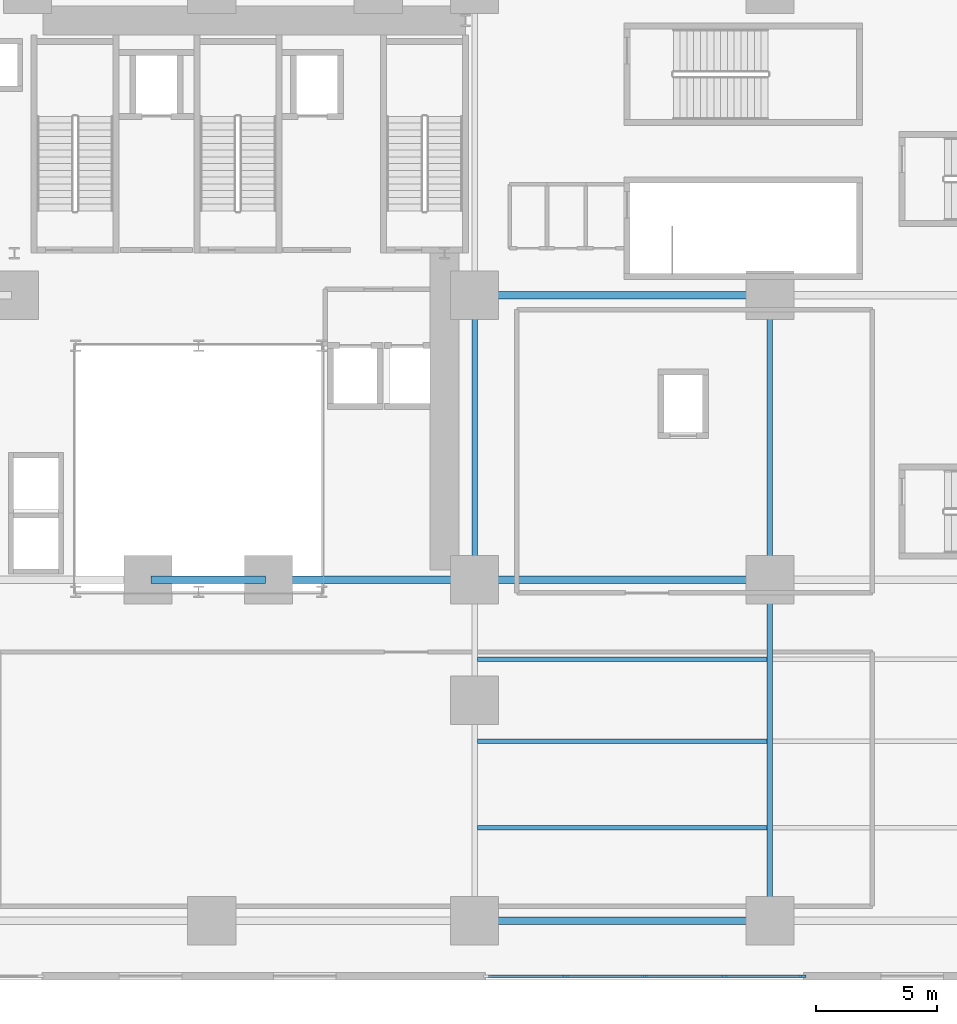
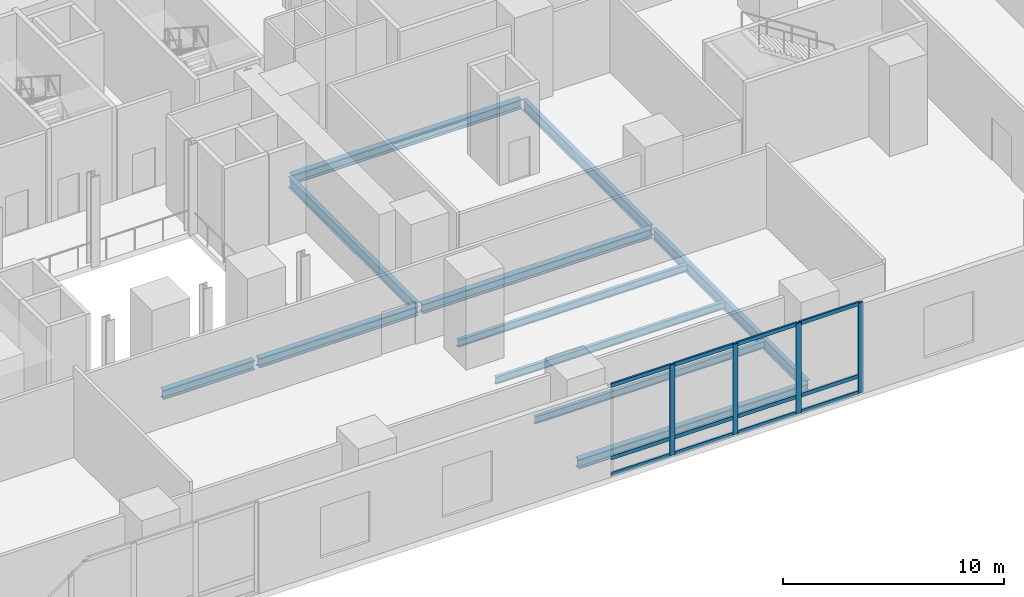
# One storey, part 4 of 15: 16 members, 11 beams, 1 element without a shape of its own.
"""IFC4 building model written with IfcOpenShell, lengths in metres."""

from ifc_helpers import new_model, si_unit, direction, frame, origin, origin_2d, place, context, subcontext, project, spatial, rectangle, i_section, extrude, source, transform, mapped, material, material_profile, profile_set, type_object, element, aggregate, save


model = new_model("IFC4")

# Units and contexts
model_context = context("Model", 3, precision=1e-05, world=origin(), true_north=direction((0.0, 1.0)))
body_context = subcontext(model_context, "Body", "Model", "MODEL_VIEW")
ifc_project = project(units=[si_unit("LENGTHUNIT", "METRE"), si_unit("AREAUNIT", "SQUARE_METRE"), si_unit("VOLUMEUNIT", "CUBIC_METRE"), si_unit("PLANEANGLEUNIT", "RADIAN"), si_unit("MASSUNIT", "GRAM", prefix="KILO")], contexts=[model_context])

# Site, building, storey
site_placement = place(None, origin())
site = spatial("IfcSite", under=ifc_project, at=site_placement, CompositionType="ELEMENT")
building_placement = place(site_placement, origin())
building = spatial("IfcBuilding", under=site, at=building_placement, Name="Vardaveli Station Tower", CompositionType="ELEMENT")
storey_placement = place(building_placement, frame((0.0, 0.0, 6.0)))
storey = spatial("IfcBuildingStorey", under=building, at=storey_placement, Name="L02", CompositionType="ELEMENT", Elevation=6.0)

# Beams
ifc_material_1 = material(Name="Structural steel S355J2", Category="steel")
ifc_material_profile_1 = material_profile(ifc_material_1, i_section(OverallWidth=0.305908203125, OverallDepth=0.52392578125, WebThickness=0.02099609375, FlangeThickness=0.0400390625, FilletRadius=0.027099609375, at=origin_2d()), Name="HEM 500")
ifc_profile_set_1 = profile_set([ifc_material_profile_1], Name="Structural steel S355J2")
beam_type_1 = type_object("IfcBeamType", Name="BM-HEM500", PredefinedType="BEAM", material=ifc_profile_set_1)
shared_shape_1 = source(origin(), body_context, "Body", "SweptSolid", [
    extrude(i_section(OverallWidth=0.305908203125, OverallDepth=0.52392578125, WebThickness=0.02099609375, FlangeThickness=0.0400390625, FilletRadius=0.027099609375, at=origin_2d()), origin(), (0.0, 0.0, 1.0), 12.009765625),
])
for number, where, z_axis, x_axis, name in (
    (1, (47.8701171875, 2.949951171875, -0.58203125), (1.0, 0.0, 0.0), (0.0, 1.0, 0.0), "PBM-L02-EW0-4"),
    (2, (47.8701171875, 17.10009765625, -0.58203125), (1.0, 0.0, 0.0), (0.0, 1.0, 0.0), "PBM-L02-EW1-5"),
    (3, (47.8701171875, 28.89990234375, -0.58203125), (1.0, 0.0, 0.0), (0.0, 1.0, 0.0), "PBM-L02-EWE2-0"),
):
    element("IfcBeam", number, at=place(storey_placement, frame(where, z_axis=z_axis, x_axis=x_axis)), inside=storey, type_object=beam_type_1, Name=name, PredefinedType="BEAM", context=body_context, shape_type="MappedRepresentation", body=[
        mapped(shared_shape_1, transform((0.0, 0.0, 0.0), scale=1.0)),
    ])
shared_shape_2 = source(origin(), body_context, "Body", "SweptSolid", [
    extrude(i_section(OverallWidth=0.305908203125, OverallDepth=0.52392578125, WebThickness=0.02099609375, FlangeThickness=0.0400390625, FilletRadius=0.027099609375, at=origin_2d()), origin(), (0.0, 0.0, 1.0), 4.760009765625),
])
beam_1_placement = place(storey_placement, frame((34.320068359375, 17.10009765625, -0.58203125), z_axis=(1.0, 0.0, 0.0), x_axis=(0.0, 1.0, 0.0)))
element("IfcBeam", 4, at=beam_1_placement, inside=storey, type_object=beam_type_1, Name="PBM-L02-EW1-3", PredefinedType="BEAM", context=body_context, shape_type="MappedRepresentation", body=[
    mapped(shared_shape_2, transform((0.0, 0.0, 0.0), scale=1.0)),
])
shared_shape_3 = source(origin(), body_context, "Body", "SweptSolid", [
    extrude(i_section(OverallWidth=0.305908203125, OverallDepth=0.52392578125, WebThickness=0.02099609375, FlangeThickness=0.0400390625, FilletRadius=0.027099609375, at=origin_2d()), origin(), (0.0, 0.0, 1.0), 8.309814453125),
])
beam_2_placement = place(storey_placement, frame((39.320068359375, 17.10009765625, -0.58203125), z_axis=(1.0, 0.0, 0.0), x_axis=(0.0, 1.0, 0.0)))
element("IfcBeam", 5, at=beam_2_placement, inside=storey, type_object=beam_type_1, Name="PBM-L02-EW1-4", PredefinedType="BEAM", context=body_context, shape_type="MappedRepresentation", body=[
    mapped(shared_shape_3, transform((0.0, 0.0, 0.0), scale=1.0)),
])
ifc_material_profile_2 = material_profile(ifc_material_1, i_section(OverallWidth=0.219970703125, OverallDepth=0.60009765625, WebThickness=0.011962890625, FlangeThickness=0.01904296875, FilletRadius=0.02392578125, at=origin_2d()), Name="IPE 600")
ifc_profile_set_2 = profile_set([ifc_material_profile_2], Name="Structural steel S355J2")
beam_type_2 = type_object("IfcBeamType", Name="BM-IPE600", PredefinedType="BEAM", material=ifc_profile_set_2)
shared_shape_4 = source(origin(), body_context, "Body", "SweptSolid", [
    extrude(i_section(OverallWidth=0.219970703125, OverallDepth=0.60009765625, WebThickness=0.011962890625, FlangeThickness=0.01904296875, FilletRadius=0.02392578125, at=origin_2d()), origin(), (0.0, 0.0, 1.0), 13.909912109375),
])
beam_3_placement = place(storey_placement, frame((60.0, 3.070068359375, -0.6201171875), z_axis=(0.0, 1.0, 0.0), x_axis=(-1.0, 0.0, 0.0)))
element("IfcBeam", 6, at=beam_3_placement, inside=storey, type_object=beam_type_2, Name="PBM-L02-NS3-0", PredefinedType="BEAM", context=body_context, shape_type="MappedRepresentation", body=[
    mapped(shared_shape_4, transform((0.0, 0.0, 0.0), scale=1.0)),
])
shared_shape_5 = source(origin(), body_context, "Body", "SweptSolid", [
    extrude(i_section(OverallWidth=0.219970703125, OverallDepth=0.60009765625, WebThickness=0.011962890625, FlangeThickness=0.01904296875, FilletRadius=0.02392578125, at=origin_2d()), origin(), (0.0, 0.0, 1.0), 11.56005859375),
])
for number, where, z_axis, x_axis, name in (
    (7, (47.75, 17.219970703125, -0.6201171875), (0.0, 1.0, 0.0), (-1.0, 0.0, 0.0), "PBM-L02-NS2-1"),
    (8, (60.0, 17.219970703125, -0.6201171875), (0.0, 1.0, 0.0), (-1.0, 0.0, 0.0), "PBM-L02-NS3-1"),
):
    element("IfcBeam", number, at=place(storey_placement, frame(where, z_axis=z_axis, x_axis=x_axis)), inside=storey, type_object=beam_type_2, Name=name, PredefinedType="BEAM", context=body_context, shape_type="MappedRepresentation", body=[
        mapped(shared_shape_5, transform((0.0, 0.0, 0.0), scale=1.0)),
    ])
ifc_material_profile_3 = material_profile(ifc_material_1, i_section(OverallWidth=0.179931640625, OverallDepth=0.39990234375, WebThickness=0.008544921875, FlangeThickness=0.013427734375, FilletRadius=0.02099609375, at=origin_2d()), Name="IPE 400")
ifc_profile_set_3 = profile_set([ifc_material_profile_3], Name="Structural steel S355J2")
beam_type_3 = type_object("IfcBeamType", Name="BM-IPE400", PredefinedType="JOIST", material=ifc_profile_set_3)
shared_shape_6 = source(origin(), body_context, "Body", "SweptSolid", [
    extrude(i_section(OverallWidth=0.179931640625, OverallDepth=0.39990234375, WebThickness=0.008544921875, FlangeThickness=0.013427734375, FilletRadius=0.02099609375, at=origin_2d()), origin(), (0.0, 0.0, 1.0), 12.02587890625),
])
for number, where, z_axis, x_axis, name in (
    (9, (47.862060546875, 6.800048828125, -0.52001953125), (1.0, 0.0, 0.0), (0.0, 1.0, 0.0), "PJ-L02-1-2"),
    (10, (47.862060546875, 10.39990234375, -0.52001953125), (1.0, 0.0, 0.0), (0.0, 1.0, 0.0), "PJ-L02-2-2"),
    (11, (47.862060546875, 13.800048828125, -0.52001953125), (1.0, 0.0, 0.0), (0.0, 1.0, 0.0), "PJ-L02-3-2"),
):
    element("IfcBeam", number, at=place(storey_placement, frame(where, z_axis=z_axis, x_axis=x_axis)), inside=storey, type_object=beam_type_3, Name=name, PredefinedType="JOIST", context=body_context, shape_type="MappedRepresentation", body=[
        mapped(shared_shape_6, transform((0.0, 0.0, 0.0), scale=1.0)),
    ])

# Curtain wall, members
ifc_material_2 = material(Name="Travertine stone and solar-control glass", Category="masonry")
curtain_wall_type = type_object("IfcCurtainWallType", Name="CW-SYS-1", PredefinedType="NOTDEFINED", material=ifc_material_2)
curtain_wall_placement = place(storey_placement, origin())
curtain_wall = element("IfcCurtainWall", 12, at=curtain_wall_placement, inside=storey, type_object=curtain_wall_type, Name="CW-L02-S4", PredefinedType="NOTDEFINED")
ifc_material_3 = material(Name="Anodised aluminium alloy 6063-T6", Category="aluminium")
ifc_material_profile_4 = material_profile(ifc_material_3, rectangle(XDim=0.094970703125, YDim=0.2099609375, at=origin_2d()), Name="CWT 95x210")
ifc_profile_set_4 = profile_set([ifc_material_profile_4], Name="Anodised aluminium alloy 6063-T6")
member_type_1 = type_object("IfcMemberType", Name="CW-SYS-1-TRAN", PredefinedType="NOTDEFINED", material=ifc_profile_set_4)
shared_shape_7 = source(origin(), body_context, "Body", "SweptSolid", [
    extrude(rectangle(XDim=0.094970703125, YDim=0.2099609375, at=origin_2d()), origin(), (0.0, 0.0, 1.0), 3.157470703125),
])
member_1_placement = place(storey_placement, frame((48.294921875, 0.64990234375, 0.047607421875), z_axis=(1.0, 0.0, 0.0), x_axis=(0.0, 1.0, 0.0)))
member_1 = element("IfcMember", 13, at=member_1_placement, type_object=member_type_1, Name="CW-1 transom 1.1", ObjectType="TRANSOM", PredefinedType="USERDEFINED", context=body_context, shape_type="MappedRepresentation", body=[
    mapped(shared_shape_7, transform((0.0, 0.0, 0.0), scale=1.0)),
])
member_2_placement = place(storey_placement, frame((48.294921875, 0.64990234375, 0.949951171875), z_axis=(1.0, 0.0, 0.0), x_axis=(0.0, 1.0, 0.0)))
member_2 = element("IfcMember", 14, at=member_2_placement, type_object=member_type_1, Name="CW-1 transom 1.2", ObjectType="TRANSOM", PredefinedType="USERDEFINED", context=body_context, shape_type="MappedRepresentation", body=[
    mapped(shared_shape_7, transform((0.0, 0.0, 0.0), scale=1.0)),
])
member_3_placement = place(storey_placement, frame((48.294921875, 0.64990234375, 4.952392578125), z_axis=(1.0, 0.0, 0.0), x_axis=(0.0, 1.0, 0.0)))
member_3 = element("IfcMember", 15, at=member_3_placement, type_object=member_type_1, Name="CW-1 transom 1.3", ObjectType="TRANSOM", PredefinedType="USERDEFINED", context=body_context, shape_type="MappedRepresentation", body=[
    mapped(shared_shape_7, transform((0.0, 0.0, 0.0), scale=1.0)),
])
member_4_placement = place(storey_placement, frame((58.1474609375, 0.64990234375, 0.047607421875), z_axis=(1.0, 0.0, 0.0), x_axis=(0.0, 1.0, 0.0)))
member_4 = element("IfcMember", 16, at=member_4_placement, type_object=member_type_1, Name="CW-1 transom 4.1", ObjectType="TRANSOM", PredefinedType="USERDEFINED", context=body_context, shape_type="MappedRepresentation", body=[
    mapped(shared_shape_7, transform((0.0, 0.0, 0.0), scale=1.0)),
])
member_5_placement = place(storey_placement, frame((58.1474609375, 0.64990234375, 0.949951171875), z_axis=(1.0, 0.0, 0.0), x_axis=(0.0, 1.0, 0.0)))
member_5 = element("IfcMember", 17, at=member_5_placement, type_object=member_type_1, Name="CW-1 transom 4.2", ObjectType="TRANSOM", PredefinedType="USERDEFINED", context=body_context, shape_type="MappedRepresentation", body=[
    mapped(shared_shape_7, transform((0.0, 0.0, 0.0), scale=1.0)),
])
member_6_placement = place(storey_placement, frame((58.1474609375, 0.64990234375, 4.952392578125), z_axis=(1.0, 0.0, 0.0), x_axis=(0.0, 1.0, 0.0)))
member_6 = element("IfcMember", 18, at=member_6_placement, type_object=member_type_1, Name="CW-1 transom 4.3", ObjectType="TRANSOM", PredefinedType="USERDEFINED", context=body_context, shape_type="MappedRepresentation", body=[
    mapped(shared_shape_7, transform((0.0, 0.0, 0.0), scale=1.0)),
])
shared_shape_8 = source(origin(), body_context, "Body", "SweptSolid", [
    extrude(rectangle(XDim=0.094970703125, YDim=0.2099609375, at=origin_2d()), origin(), (0.0, 0.0, 1.0), 3.204833984375),
])
member_7_placement = place(storey_placement, frame((51.547607421875, 0.64990234375, 0.047607421875), z_axis=(1.0, 0.0, 0.0), x_axis=(0.0, 1.0, 0.0)))
member_7 = element("IfcMember", 19, at=member_7_placement, type_object=member_type_1, Name="CW-1 transom 2.1", ObjectType="TRANSOM", PredefinedType="USERDEFINED", context=body_context, shape_type="MappedRepresentation", body=[
    mapped(shared_shape_8, transform((0.0, 0.0, 0.0), scale=1.0)),
])
member_8_placement = place(storey_placement, frame((51.547607421875, 0.64990234375, 0.949951171875), z_axis=(1.0, 0.0, 0.0), x_axis=(0.0, 1.0, 0.0)))
member_8 = element("IfcMember", 20, at=member_8_placement, type_object=member_type_1, Name="CW-1 transom 2.2", ObjectType="TRANSOM", PredefinedType="USERDEFINED", context=body_context, shape_type="MappedRepresentation", body=[
    mapped(shared_shape_8, transform((0.0, 0.0, 0.0), scale=1.0)),
])
member_9_placement = place(storey_placement, frame((51.547607421875, 0.64990234375, 4.952392578125), z_axis=(1.0, 0.0, 0.0), x_axis=(0.0, 1.0, 0.0)))
member_9 = element("IfcMember", 21, at=member_9_placement, type_object=member_type_1, Name="CW-1 transom 2.3", ObjectType="TRANSOM", PredefinedType="USERDEFINED", context=body_context, shape_type="MappedRepresentation", body=[
    mapped(shared_shape_8, transform((0.0, 0.0, 0.0), scale=1.0)),
])
shared_shape_9 = source(origin(), body_context, "Body", "SweptSolid", [
    extrude(rectangle(XDim=0.094970703125, YDim=0.2099609375, at=origin_2d()), origin(), (0.0, 0.0, 1.0), 3.205078125),
])
member_10_placement = place(storey_placement, frame((54.847412109375, 0.64990234375, 0.047607421875), z_axis=(1.0, 0.0, 0.0), x_axis=(0.0, 1.0, 0.0)))
member_10 = element("IfcMember", 22, at=member_10_placement, type_object=member_type_1, Name="CW-1 transom 3.1", ObjectType="TRANSOM", PredefinedType="USERDEFINED", context=body_context, shape_type="MappedRepresentation", body=[
    mapped(shared_shape_9, transform((0.0, 0.0, 0.0), scale=1.0)),
])
member_11_placement = place(storey_placement, frame((54.847412109375, 0.64990234375, 0.949951171875), z_axis=(1.0, 0.0, 0.0), x_axis=(0.0, 1.0, 0.0)))
member_11 = element("IfcMember", 23, at=member_11_placement, type_object=member_type_1, Name="CW-1 transom 3.2", ObjectType="TRANSOM", PredefinedType="USERDEFINED", context=body_context, shape_type="MappedRepresentation", body=[
    mapped(shared_shape_9, transform((0.0, 0.0, 0.0), scale=1.0)),
])
member_12_placement = place(storey_placement, frame((54.847412109375, 0.64990234375, 4.952392578125), z_axis=(1.0, 0.0, 0.0), x_axis=(0.0, 1.0, 0.0)))
member_12 = element("IfcMember", 24, at=member_12_placement, type_object=member_type_1, Name="CW-1 transom 3.3", ObjectType="TRANSOM", PredefinedType="USERDEFINED", context=body_context, shape_type="MappedRepresentation", body=[
    mapped(shared_shape_9, transform((0.0, 0.0, 0.0), scale=1.0)),
])
ifc_material_profile_5 = material_profile(ifc_material_3, rectangle(XDim=0.094970703125, YDim=0.27001953125, at=origin_2d()), Name="CWM 95x270")
ifc_profile_set_5 = profile_set([ifc_material_profile_5], Name="Anodised aluminium alloy 6063-T6")
member_type_2 = type_object("IfcMemberType", Name="CW-SYS-1-MULL", PredefinedType="MULLION", material=ifc_profile_set_5)
shared_shape_10 = source(origin(), body_context, "Body", "SweptSolid", [
    extrude(rectangle(XDim=0.094970703125, YDim=0.27001953125, at=origin_2d()), origin(), (0.0, 0.0, 1.0), 5.0),
])
member_13_placement = place(storey_placement, frame((51.5, 0.64990234375, 0.0), z_axis=(0.0, 0.0, 1.0), x_axis=(0.0, 1.0, 0.0)))
member_13 = element("IfcMember", 25, at=member_13_placement, type_object=member_type_2, Name="CW-1 mullion 2", PredefinedType="MULLION", context=body_context, shape_type="MappedRepresentation", body=[
    mapped(shared_shape_10, transform((0.0, 0.0, 0.0), scale=1.0)),
])
member_14_placement = place(storey_placement, frame((54.800048828125, 0.64990234375, 0.0), z_axis=(0.0, 0.0, 1.0), x_axis=(0.0, 1.0, 0.0)))
member_14 = element("IfcMember", 26, at=member_14_placement, type_object=member_type_2, Name="CW-1 mullion 3", PredefinedType="MULLION", context=body_context, shape_type="MappedRepresentation", body=[
    mapped(shared_shape_10, transform((0.0, 0.0, 0.0), scale=1.0)),
])
member_15_placement = place(storey_placement, frame((58.10009765625, 0.64990234375, 0.0), z_axis=(0.0, 0.0, 1.0), x_axis=(0.0, 1.0, 0.0)))
member_15 = element("IfcMember", 27, at=member_15_placement, type_object=member_type_2, Name="CW-1 mullion 4", PredefinedType="MULLION", context=body_context, shape_type="MappedRepresentation", body=[
    mapped(shared_shape_10, transform((0.0, 0.0, 0.0), scale=1.0)),
])
member_16_placement = place(storey_placement, frame((61.3525390625, 0.64990234375, 0.0), z_axis=(0.0, 0.0, 1.0), x_axis=(0.0, 1.0, 0.0)))
member_16 = element("IfcMember", 28, at=member_16_placement, type_object=member_type_2, Name="CW-1 mullion 5", PredefinedType="MULLION", context=body_context, shape_type="MappedRepresentation", body=[
    mapped(shared_shape_10, transform((0.0, 0.0, 0.0), scale=1.0)),
])
aggregate(curtain_wall, [member_13, member_14, member_15, member_16, member_1, member_2, member_3, member_7, member_8, member_9, member_10, member_11, member_12, member_4, member_5, member_6])

save(model, "model.ifc")
